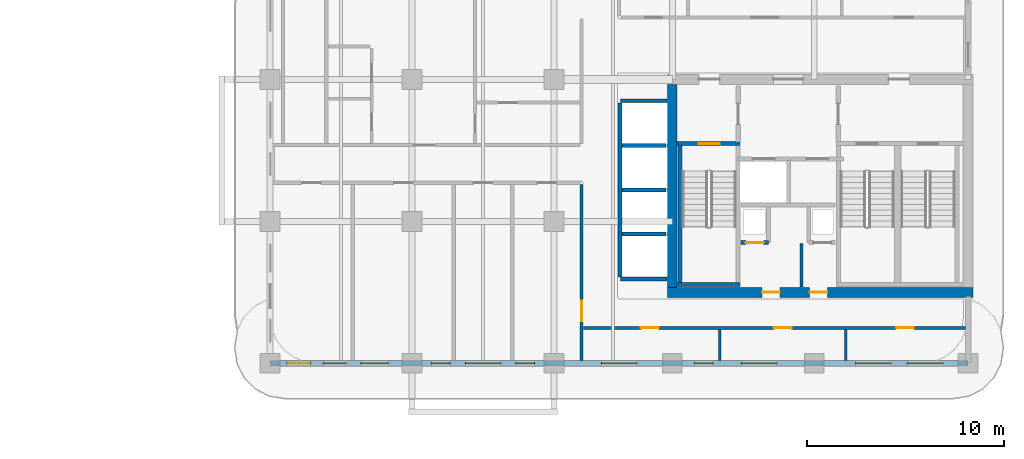
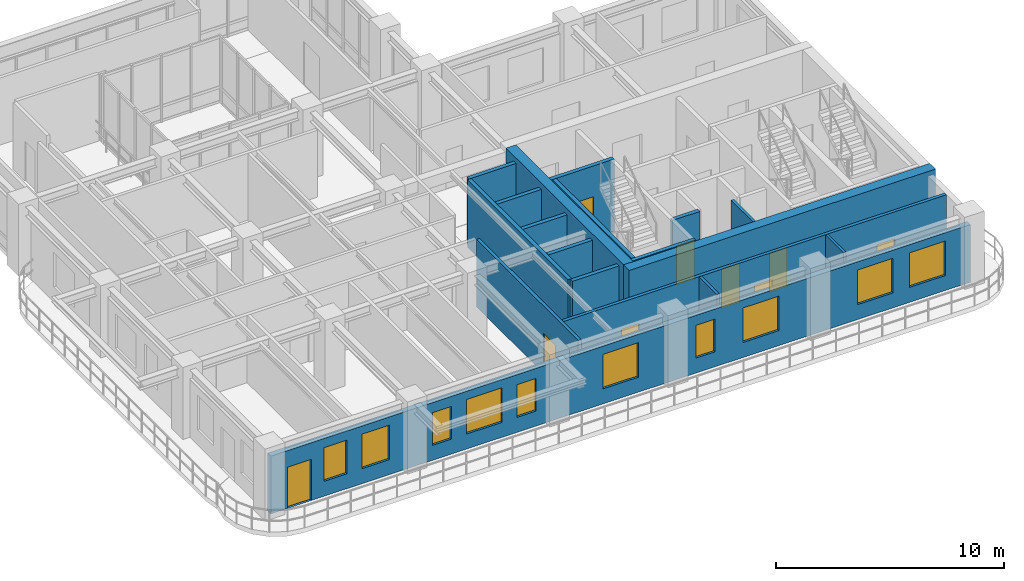
# One storey, part 12 of 21: 18 walls, 10 windows, 9 doors, 19 openings.
"""IFC4 building model written with IfcOpenShell, lengths in metres."""

from ifc_helpers import new_model, si_unit, derived_unit, direction, frame, frame_2d, origin, place, context, subcontext, project, spatial, rectangle, extrude, source, transform, mapped, material, layer, layer_set, type_object, type_shapes, element, fill, save


model = new_model("IFC4")

# Units and contexts
model_context = context("Model", 3, precision=1e-05, world=origin(), true_north=direction((0.0, 1.0)))
body_context = subcontext(model_context, "Body", "Model", "MODEL_VIEW")
ifc_project = project(units=[si_unit("LENGTHUNIT", "METRE"), si_unit("AREAUNIT", "SQUARE_METRE"), si_unit("VOLUMEUNIT", "CUBIC_METRE"), si_unit("PLANEANGLEUNIT", "RADIAN"), si_unit("MASSUNIT", "GRAM", prefix="KILO"), si_unit("THERMODYNAMICTEMPERATUREUNIT", "KELVIN"), si_unit("POWERUNIT", "WATT"), derived_unit("THERMALTRANSMITTANCEUNIT", [(si_unit("POWERUNIT", "WATT"), 1), (si_unit("AREAUNIT", "SQUARE_METRE"), -1), (si_unit("THERMODYNAMICTEMPERATUREUNIT", "KELVIN"), -1)])], contexts=[model_context])

# Site, building, storey
site_placement = place(None, origin())
site = spatial("IfcSite", under=ifc_project, at=site_placement, CompositionType="ELEMENT")
building_placement = place(site_placement, origin())
building = spatial("IfcBuilding", under=site, at=building_placement, Name="Zahravan Archway Hotel and Residences", CompositionType="ELEMENT")
storey_placement = place(building_placement, frame((0.0, 0.0, 165.699951171875)))
storey = spatial("IfcBuildingStorey", under=building, at=storey_placement, Name="L41", CompositionType="ELEMENT", Elevation=165.699951171875)

# Wall, openings, doors
ifc_material_1 = material(Name="Concrete C60/75", Category="concrete")
ifc_layer_1 = layer(ifc_material_1, 0.5, Name="Concrete C60/75", Category="concrete")
ifc_layer_set_1 = layer_set([ifc_layer_1], Name="Concrete C60/75")
wall_type_1 = type_object("IfcWallType", Name="CW-CORE-500", PredefinedType="SHEAR", material=ifc_layer_set_1)
wall_1_placement = place(storey_placement, frame((34.550048828125, 3.60009765625, 0.0), z_axis=(0.0, 0.0, 1.0), x_axis=(1.0, 0.0, 0.0)))
wall_1 = element("IfcWall", 1, at=wall_1_placement, inside=storey, type_object=wall_type_1, Name="L41 Core A Shear S Wall 500 mm", PredefinedType="SHEAR", context=body_context, shape_type="SweptSolid", body=[
    extrude(rectangle(XDim=15.5, YDim=0.5, at=frame_2d((7.75, 0.0))), origin(), (0.0, 0.0, 1.0), 3.85009765625),
])
opening_1_placement = place(wall_1_placement, frame((4.800048828125, 0.0, 0.0)))
opening_1 = element("IfcOpeningElement", 2, at=opening_1_placement, cuts=wall_1, Name="Opening FD-R1", PredefinedType="OPENING", context=body_context, shape_type="SweptSolid", body=[
    extrude(rectangle(XDim=0.89990234375, YDim=2.10009765625, at=frame_2d((0.449951171875, 1.050048828125))), frame((0.0, 0.260009765625, 0.0), z_axis=(0.0, -1.0, 0.0), x_axis=(1.0, 0.0, 0.0)), (0.0, 0.0, 1.0), 0.52001953125),
])
opening_2_placement = place(wall_1_placement, frame((7.219970703125, 0.0, 0.0)))
opening_2 = element("IfcOpeningElement", 3, at=opening_2_placement, cuts=wall_1, Name="Opening FD-R1", PredefinedType="OPENING", context=body_context, shape_type="SweptSolid", body=[
    extrude(rectangle(XDim=0.89990234375, YDim=2.10009765625, at=frame_2d((0.449951171875, 1.050048828125))), frame((0.0, 0.260009765625, 0.0), z_axis=(0.0, -1.0, 0.0), x_axis=(1.0, 0.0, 0.0)), (0.0, 0.0, 1.0), 0.52001953125),
])
ifc_material_2 = material(Name="Fire-Rated Painted Steel", Category="steel")
door_type_1 = type_object("IfcDoorType", Name="FD-RISER-900", OperationType="NOTDEFINED", PredefinedType="DOOR", material=ifc_material_2)
shared_shape_1 = source(origin(), body_context, "Body", "SweptSolid", [
    extrude(rectangle(XDim=0.89990234375, YDim=2.10009765625, at=frame_2d((0.449951171875, 1.050048828125))), frame((0.0, 0.02490234375, 0.0), z_axis=(0.0, -1.0, 0.0), x_axis=(1.0, 0.0, 0.0)), (0.0, 0.0, 1.0), 0.050048828125),
])
type_shapes(door_type_1, [shared_shape_1])
door_1_placement = place(opening_1_placement, origin())
door_1 = element("IfcDoor", 4, at=door_1_placement, inside=storey, type_object=door_type_1, Name="L41 Service Pantry Door", OperationType="SINGLE_SWING_LEFT", OverallHeight=2.10009765625, OverallWidth=0.89990234375, PredefinedType="DOOR", context=body_context, shape_type="MappedRepresentation", body=[
    mapped(shared_shape_1, transform((0.0, 0.0, 0.0), scale=1.0)),
])
fill(opening_1, door_1)
door_2_placement = place(opening_2_placement, origin())
door_2 = element("IfcDoor", 5, at=door_2_placement, inside=storey, type_object=door_type_1, Name="L41 Fibre ELV Riser Door", OperationType="SINGLE_SWING_RIGHT", OverallHeight=2.10009765625, OverallWidth=0.89990234375, PredefinedType="DOOR", context=body_context, shape_type="MappedRepresentation", body=[
    mapped(shared_shape_1, transform((0.0, 0.0, 0.0), scale=1.0)),
])
fill(opening_2, door_2)

# Wall
wall_2_placement = place(storey_placement, frame((34.800048828125, 3.85009765625, 0.0), z_axis=(0.0, 0.0, 1.0), x_axis=(0.0, 1.0, 0.0)))
element("IfcWall", 6, at=wall_2_placement, inside=storey, type_object=wall_type_1, Name="L41 Core A Shear W Wall 500 mm", PredefinedType="SHEAR", context=body_context, shape_type="SweptSolid", body=[
    extrude(rectangle(XDim=10.2998046875, YDim=0.5, at=frame_2d((5.14990234375, 0.0))), origin(), (0.0, 0.0, 1.0), 3.85009765625),
])

# Wall, openings, door, windows
ifc_material_3 = material(Name="Honed Red-Ochre Sandstone & Insulated Block", Category="masonry")
ifc_layer_2 = layer(ifc_material_3, 0.280029296875, Name="Honed Red-Ochre Sandstone & Insulated Block", Category="masonry")
ifc_layer_set_2 = layer_set([ifc_layer_2], Name="Honed Red-Ochre Sandstone & Insulated Block")
wall_type_2 = type_object("IfcWallType", Name="EW-LOG-280", PredefinedType="SOLIDWALL", material=ifc_layer_set_2)
wall_3_placement = place(storey_placement, frame((14.39990234375, 0.0, 0.0), z_axis=(0.0, 0.0, 1.0), x_axis=(1.0, 0.0, 0.0)))
wall_3 = element("IfcWall", 7, at=wall_3_placement, inside=storey, type_object=wall_type_2, Name="L41 Exterior Sandstone Wall WA-S", PredefinedType="SOLIDWALL", context=body_context, shape_type="SweptSolid", body=[
    extrude(rectangle(XDim=35.400146484375, YDim=0.280029296875, at=frame_2d((17.7001953125, 0.0))), origin(), (0.0, 0.0, 1.0), 3.0849609375),
])
opening_3_placement = place(wall_3_placement, frame((0.85009765625, 0.0, 0.0)))
opening_3 = element("IfcOpeningElement", 8, at=opening_3_placement, cuts=wall_3, Name="Opening ED-BL1", PredefinedType="OPENING", context=body_context, shape_type="SweptSolid", body=[
    extrude(rectangle(XDim=1.199951171875, YDim=2.199951171875, at=frame_2d((0.60009765625, 1.10009765625))), frame((0.0, 0.14990234375, 0.0), z_axis=(0.0, -1.0, 0.0), x_axis=(1.0, 0.0, 0.0)), (0.0, 0.0, 1.0), 0.300048828125),
])
opening_4_placement = place(wall_3_placement, frame((2.696044921875, 0.0, 0.800048828125)))
opening_4 = element("IfcOpeningElement", 9, at=opening_4_placement, cuts=wall_3, Name="Opening W-05", PredefinedType="OPENING", context=body_context, shape_type="SweptSolid", body=[
    extrude(rectangle(XDim=1.14990234375, YDim=1.800048828125, at=frame_2d((0.574951171875, 0.89990234375))), frame((0.0, 0.14990234375, 0.0), z_axis=(0.0, -1.0, 0.0), x_axis=(1.0, 0.0, 0.0)), (0.0, 0.0, 1.0), 0.300048828125),
])
opening_5_placement = place(wall_3_placement, frame((4.60400390625, 0.0, 0.800048828125)))
opening_5 = element("IfcOpeningElement", 10, at=opening_5_placement, cuts=wall_3, Name="Opening W-03", PredefinedType="OPENING", context=body_context, shape_type="SweptSolid", body=[
    extrude(rectangle(XDim=1.39990234375, YDim=1.85009765625, at=frame_2d((0.699951171875, 0.925048828125))), frame((0.0, 0.14990234375, 0.0), z_axis=(0.0, -1.0, 0.0), x_axis=(1.0, 0.0, 0.0)), (0.0, 0.0, 1.0), 0.300048828125),
])
opening_6_placement = place(wall_3_placement, frame((8.180908203125, 0.0, 0.800048828125)))
opening_6 = element("IfcOpeningElement", 11, at=opening_6_placement, cuts=wall_3, Name="Opening W-04", PredefinedType="OPENING", context=body_context, shape_type="SweptSolid", body=[
    extrude(rectangle(XDim=0.949951171875, YDim=1.75, at=frame_2d((0.47509765625, 0.875))), frame((0.0, 0.14990234375, 0.0), z_axis=(0.0, -1.0, 0.0), x_axis=(1.0, 0.0, 0.0)), (0.0, 0.0, 1.0), 0.300048828125),
])
opening_7_placement = place(wall_3_placement, frame((9.89990234375, 0.0, 0.800048828125)))
opening_7 = element("IfcOpeningElement", 12, at=opening_7_placement, cuts=wall_3, Name="Opening W-02", PredefinedType="OPENING", context=body_context, shape_type="SweptSolid", body=[
    extrude(rectangle(XDim=1.800048828125, YDim=1.85009765625, at=frame_2d((0.89990234375, 0.925048828125))), frame((0.0, 0.14990234375, 0.0), z_axis=(0.0, -1.0, 0.0), x_axis=(1.0, 0.0, 0.0)), (0.0, 0.0, 1.0), 0.300048828125),
])
opening_8_placement = place(wall_3_placement, frame((12.468994140625, 0.0, 0.800048828125)))
opening_8 = element("IfcOpeningElement", 13, at=opening_8_placement, cuts=wall_3, Name="Opening W-04", PredefinedType="OPENING", context=body_context, shape_type="SweptSolid", body=[
    extrude(rectangle(XDim=0.949951171875, YDim=1.75, at=frame_2d((0.47509765625, 0.875))), frame((0.0, 0.14990234375, 0.0), z_axis=(0.0, -1.0, 0.0), x_axis=(1.0, 0.0, 0.0)), (0.0, 0.0, 1.0), 0.300048828125),
])
opening_9_placement = place(wall_3_placement, frame((16.803955078125, 0.0, 0.800048828125)))
opening_9 = element("IfcOpeningElement", 14, at=opening_9_placement, cuts=wall_3, Name="Opening W-02", PredefinedType="OPENING", context=body_context, shape_type="SweptSolid", body=[
    extrude(rectangle(XDim=1.800048828125, YDim=1.85009765625, at=frame_2d((0.89990234375, 0.925048828125))), frame((0.0, 0.14990234375, 0.0), z_axis=(0.0, -1.0, 0.0), x_axis=(1.0, 0.0, 0.0)), (0.0, 0.0, 1.0), 0.300048828125),
])
opening_10_placement = place(wall_3_placement, frame((21.52099609375, 0.0, 0.800048828125)))
opening_10 = element("IfcOpeningElement", 15, at=opening_10_placement, cuts=wall_3, Name="Opening W-04", PredefinedType="OPENING", context=body_context, shape_type="SweptSolid", body=[
    extrude(rectangle(XDim=0.949951171875, YDim=1.75, at=frame_2d((0.47509765625, 0.875))), frame((0.0, 0.14990234375, 0.0), z_axis=(0.0, -1.0, 0.0), x_axis=(1.0, 0.0, 0.0)), (0.0, 0.0, 1.0), 0.300048828125),
])
opening_11_placement = place(wall_3_placement, frame((23.904052734375, 0.0, 0.800048828125)))
opening_11 = element("IfcOpeningElement", 16, at=opening_11_placement, cuts=wall_3, Name="Opening W-02", PredefinedType="OPENING", context=body_context, shape_type="SweptSolid", body=[
    extrude(rectangle(XDim=1.800048828125, YDim=1.85009765625, at=frame_2d((0.89990234375, 0.925048828125))), frame((0.0, 0.14990234375, 0.0), z_axis=(0.0, -1.0, 0.0), x_axis=(1.0, 0.0, 0.0)), (0.0, 0.0, 1.0), 0.300048828125),
])
opening_12_placement = place(wall_3_placement, frame((29.680908203125, 0.0, 0.800048828125)))
opening_12 = element("IfcOpeningElement", 17, at=opening_12_placement, cuts=wall_3, Name="Opening W-02", PredefinedType="OPENING", context=body_context, shape_type="SweptSolid", body=[
    extrude(rectangle(XDim=1.800048828125, YDim=1.85009765625, at=frame_2d((0.89990234375, 0.925048828125))), frame((0.0, 0.14990234375, 0.0), z_axis=(0.0, -1.0, 0.0), x_axis=(1.0, 0.0, 0.0)), (0.0, 0.0, 1.0), 0.300048828125),
])
opening_13_placement = place(wall_3_placement, frame((32.326904296875, 0.0, 0.800048828125)))
opening_13 = element("IfcOpeningElement", 18, at=opening_13_placement, cuts=wall_3, Name="Opening W-02", PredefinedType="OPENING", context=body_context, shape_type="SweptSolid", body=[
    extrude(rectangle(XDim=1.800048828125, YDim=1.85009765625, at=frame_2d((0.89990234375, 0.925048828125))), frame((0.0, 0.14990234375, 0.0), z_axis=(0.0, -1.0, 0.0), x_axis=(1.0, 0.0, 0.0)), (0.0, 0.0, 1.0), 0.300048828125),
])
ifc_material_4 = material(Name="Bronze-Anodized Glazed Aluminium", Category="aluminium")
door_type_2 = type_object("IfcDoorType", Name="ED-BALC-1200", OperationType="SLIDING_TO_LEFT", PredefinedType="DOOR", material=ifc_material_4)
shared_shape_2 = source(origin(), body_context, "Body", "SweptSolid", [
    extrude(rectangle(XDim=1.199951171875, YDim=2.199951171875, at=frame_2d((0.60009765625, 1.10009765625))), frame((0.0, 0.02490234375, 0.0), z_axis=(0.0, -1.0, 0.0), x_axis=(1.0, 0.0, 0.0)), (0.0, 0.0, 1.0), 0.050048828125),
])
type_shapes(door_type_2, [shared_shape_2])
door_3_placement = place(opening_3_placement, origin())
door_3 = element("IfcDoor", 19, at=door_3_placement, inside=storey, type_object=door_type_2, Name="L41 Outdoor Access Sliding Door (SLB-BAL-L41-SA)", OperationType="SLIDING_TO_LEFT", OverallHeight=2.199951171875, OverallWidth=1.199951171875, PredefinedType="DOOR", context=body_context, shape_type="MappedRepresentation", body=[
    mapped(shared_shape_2, transform((0.0, 0.0, 0.0), scale=1.0)),
])
fill(opening_3, door_3)
ifc_material_5 = material(Name="Bronze-Anodized Thermal-Break Aluminium & Low-E Glass", Category="aluminium")
window_type_1 = type_object("IfcWindowType", Name="WIN-TWR-1400", PartitioningType="SINGLE_PANEL", PredefinedType="WINDOW", material=ifc_material_5)
shared_shape_3 = source(origin(), body_context, "Body", "SweptSolid", [
    extrude(rectangle(XDim=1.39990234375, YDim=1.85009765625, at=frame_2d((0.699951171875, 0.925048828125))), frame((0.0, 0.030029296875, 0.0), z_axis=(0.0, -1.0, 0.0), x_axis=(1.0, 0.0, 0.0)), (0.0, 0.0, 1.0), 0.06005859375),
])
type_shapes(window_type_1, [shared_shape_3])
window_1_placement = place(opening_5_placement, origin())
window_1 = element("IfcWindow", 20, at=window_1_placement, inside=storey, type_object=window_type_1, Name="L41 Loggia Window 02", OverallHeight=1.85009765625, OverallWidth=1.39990234375, PartitioningType="SINGLE_PANEL", PredefinedType="WINDOW", context=body_context, shape_type="MappedRepresentation", body=[
    mapped(shared_shape_3, transform((0.0, 0.0, 0.0), scale=1.0)),
])
fill(opening_5, window_1)
window_type_2 = type_object("IfcWindowType", Name="WIN-NAR-950", PartitioningType="SINGLE_PANEL", PredefinedType="WINDOW", material=ifc_material_5)
shared_shape_4 = source(origin(), body_context, "Body", "SweptSolid", [
    extrude(rectangle(XDim=0.949951171875, YDim=1.75, at=frame_2d((0.47509765625, 0.875))), frame((0.0, 0.030029296875, 0.0), z_axis=(0.0, -1.0, 0.0), x_axis=(1.0, 0.0, 0.0)), (0.0, 0.0, 1.0), 0.06005859375),
])
type_shapes(window_type_2, [shared_shape_4])
window_2_placement = place(opening_6_placement, origin())
window_2 = element("IfcWindow", 21, at=window_2_placement, inside=storey, type_object=window_type_2, Name="L41 Loggia Window 03", OverallHeight=1.75, OverallWidth=0.949951171875, PartitioningType="SINGLE_PANEL", PredefinedType="WINDOW", context=body_context, shape_type="MappedRepresentation", body=[
    mapped(shared_shape_4, transform((0.0, 0.0, 0.0), scale=1.0)),
])
fill(opening_6, window_2)
window_3_placement = place(opening_8_placement, origin())
window_3 = element("IfcWindow", 22, at=window_3_placement, inside=storey, type_object=window_type_2, Name="L41 Loggia Window 05", OverallHeight=1.75, OverallWidth=0.949951171875, PartitioningType="SINGLE_PANEL", PredefinedType="WINDOW", context=body_context, shape_type="MappedRepresentation", body=[
    mapped(shared_shape_4, transform((0.0, 0.0, 0.0), scale=1.0)),
])
fill(opening_8, window_3)
window_4_placement = place(opening_10_placement, origin())
window_4 = element("IfcWindow", 23, at=window_4_placement, inside=storey, type_object=window_type_2, Name="L41 Loggia Window 07", OverallHeight=1.75, OverallWidth=0.949951171875, PartitioningType="SINGLE_PANEL", PredefinedType="WINDOW", context=body_context, shape_type="MappedRepresentation", body=[
    mapped(shared_shape_4, transform((0.0, 0.0, 0.0), scale=1.0)),
])
fill(opening_10, window_4)
window_type_3 = type_object("IfcWindowType", Name="WIN-TWR-1800", PartitioningType="DOUBLE_PANEL_VERTICAL", PredefinedType="WINDOW", material=ifc_material_5)
shared_shape_5 = source(origin(), body_context, "Body", "SweptSolid", [
    extrude(rectangle(XDim=1.800048828125, YDim=1.85009765625, at=frame_2d((0.89990234375, 0.925048828125))), frame((0.0, 0.030029296875, 0.0), z_axis=(0.0, -1.0, 0.0), x_axis=(1.0, 0.0, 0.0)), (0.0, 0.0, 1.0), 0.06005859375),
])
type_shapes(window_type_3, [shared_shape_5])
window_5_placement = place(opening_7_placement, origin())
window_5 = element("IfcWindow", 24, at=window_5_placement, inside=storey, type_object=window_type_3, Name="L41 Loggia Window 04", OverallHeight=1.85009765625, OverallWidth=1.800048828125, PartitioningType="DOUBLE_PANEL_VERTICAL", PredefinedType="WINDOW", context=body_context, shape_type="MappedRepresentation", body=[
    mapped(shared_shape_5, transform((0.0, 0.0, 0.0), scale=1.0)),
])
fill(opening_7, window_5)
window_6_placement = place(opening_9_placement, origin())
window_6 = element("IfcWindow", 25, at=window_6_placement, inside=storey, type_object=window_type_3, Name="L41 Loggia Window 06", OverallHeight=1.85009765625, OverallWidth=1.800048828125, PartitioningType="DOUBLE_PANEL_VERTICAL", PredefinedType="WINDOW", context=body_context, shape_type="MappedRepresentation", body=[
    mapped(shared_shape_5, transform((0.0, 0.0, 0.0), scale=1.0)),
])
fill(opening_9, window_6)
window_7_placement = place(opening_11_placement, origin())
window_7 = element("IfcWindow", 26, at=window_7_placement, inside=storey, type_object=window_type_3, Name="L41 Loggia Window 08", OverallHeight=1.85009765625, OverallWidth=1.800048828125, PartitioningType="DOUBLE_PANEL_VERTICAL", PredefinedType="WINDOW", context=body_context, shape_type="MappedRepresentation", body=[
    mapped(shared_shape_5, transform((0.0, 0.0, 0.0), scale=1.0)),
])
fill(opening_11, window_7)
window_8_placement = place(opening_12_placement, origin())
window_8 = element("IfcWindow", 27, at=window_8_placement, inside=storey, type_object=window_type_3, Name="L41 Loggia Window 09", OverallHeight=1.85009765625, OverallWidth=1.800048828125, PartitioningType="DOUBLE_PANEL_VERTICAL", PredefinedType="WINDOW", context=body_context, shape_type="MappedRepresentation", body=[
    mapped(shared_shape_5, transform((0.0, 0.0, 0.0), scale=1.0)),
])
fill(opening_12, window_8)
window_9_placement = place(opening_13_placement, origin())
window_9 = element("IfcWindow", 28, at=window_9_placement, inside=storey, type_object=window_type_3, Name="L41 Loggia Window 10", OverallHeight=1.85009765625, OverallWidth=1.800048828125, PartitioningType="DOUBLE_PANEL_VERTICAL", PredefinedType="WINDOW", context=body_context, shape_type="MappedRepresentation", body=[
    mapped(shared_shape_5, transform((0.0, 0.0, 0.0), scale=1.0)),
])
fill(opening_13, window_9)
window_type_4 = type_object("IfcWindowType", Name="WIN-TWR-1150", PartitioningType="SINGLE_PANEL", PredefinedType="WINDOW", material=ifc_material_5)
shared_shape_6 = source(origin(), body_context, "Body", "SweptSolid", [
    extrude(rectangle(XDim=1.14990234375, YDim=1.800048828125, at=frame_2d((0.574951171875, 0.89990234375))), frame((0.0, 0.030029296875, 0.0), z_axis=(0.0, -1.0, 0.0), x_axis=(1.0, 0.0, 0.0)), (0.0, 0.0, 1.0), 0.06005859375),
])
type_shapes(window_type_4, [shared_shape_6])
window_10_placement = place(opening_4_placement, origin())
window_10 = element("IfcWindow", 29, at=window_10_placement, inside=storey, type_object=window_type_4, Name="L41 Loggia Window 01", OverallHeight=1.800048828125, OverallWidth=1.14990234375, PartitioningType="SINGLE_PANEL", PredefinedType="WINDOW", context=body_context, shape_type="MappedRepresentation", body=[
    mapped(shared_shape_6, transform((0.0, 0.0, 0.0), scale=1.0)),
])
fill(opening_4, window_10)

# Wall, opening, door
ifc_material_6 = material(Name="Fire-Rated Gypsum & Concrete Block", Category="concrete")
ifc_layer_3 = layer(ifc_material_6, 0.159912109375, Name="Fire-Rated Gypsum & Concrete Block", Category="concrete")
ifc_layer_set_3 = layer_set([ifc_layer_3], Name="Fire-Rated Gypsum & Concrete Block")
wall_type_3 = type_object("IfcWallType", Name="PW-CORR-160", PredefinedType="PARTITIONING", material=ifc_layer_set_3)
wall_4_placement = place(storey_placement, frame((30.199951171875, 0.14794921875, 0.0), z_axis=(0.0, 0.0, 1.0), x_axis=(0.0, 1.0, 0.0)))
wall_4 = element("IfcWall", 30, at=wall_4_placement, inside=storey, type_object=wall_type_3, Name="L41 Partition WA-SRW", PredefinedType="PARTITIONING", context=body_context, shape_type="SweptSolid", body=[
    extrude(rectangle(XDim=8.912109375, YDim=0.159912109375, at=frame_2d((4.4560546875, 0.0))), origin(), (0.0, 0.0, 1.0), 3.60009765625),
])
opening_14_placement = place(wall_4_placement, frame((1.97705078125, 0.0, 0.0)))
opening_14 = element("IfcOpeningElement", 31, at=opening_14_placement, cuts=wall_4, Name="Opening FD-L2", PredefinedType="OPENING", context=body_context, shape_type="SweptSolid", body=[
    extrude(rectangle(XDim=1.050048828125, YDim=2.14990234375, at=frame_2d((0.52490234375, 1.074951171875))), frame((0.0, 0.08984375, 0.0), z_axis=(0.0, -1.0, 0.0), x_axis=(1.0, 0.0, 0.0)), (0.0, 0.0, 1.0), 0.179931640625),
])
door_type_3 = type_object("IfcDoorType", Name="FD-LOBBY-1100", OperationType="NOTDEFINED", PredefinedType="DOOR", material=ifc_material_2)
shared_shape_7 = source(origin(), body_context, "Body", "SweptSolid", [
    extrude(rectangle(XDim=1.050048828125, YDim=2.14990234375, at=frame_2d((0.52490234375, 1.074951171875))), frame((0.0, 0.02490234375, 0.0), z_axis=(0.0, -1.0, 0.0), x_axis=(1.0, 0.0, 0.0)), (0.0, 0.0, 1.0), 0.050048828125),
])
type_shapes(door_type_3, [shared_shape_7])
door_4_placement = place(opening_14_placement, origin())
door_4 = element("IfcDoor", 32, at=door_4_placement, inside=storey, type_object=door_type_3, Name="L41 South Riser Corridor Door", OperationType="SINGLE_SWING_RIGHT", OverallHeight=2.14990234375, OverallWidth=1.050048828125, PredefinedType="DOOR", context=body_context, shape_type="MappedRepresentation", body=[
    mapped(shared_shape_7, transform((0.0, 0.0, 0.0), scale=1.0)),
])
fill(opening_14, door_4)

# Wall, openings, doors
wall_5_placement = place(storey_placement, frame((30.2900390625, 1.800048828125, 0.0), z_axis=(0.0, 0.0, 1.0), x_axis=(1.0, 0.0, 0.0)))
wall_5 = element("IfcWall", 33, at=wall_5_placement, inside=storey, type_object=wall_type_3, Name="L41 Partition WA-SRS", PredefinedType="PARTITIONING", context=body_context, shape_type="SweptSolid", body=[
    extrude(rectangle(XDim=19.369873046875, YDim=0.159912109375, at=frame_2d((9.68505859375, 0.0))), origin(), (0.0, 0.0, 1.0), 3.60009765625),
])
opening_15_placement = place(wall_5_placement, frame((2.916259765625, 0.0, 0.0)))
opening_15 = element("IfcOpeningElement", 34, at=opening_15_placement, cuts=wall_5, Name="Opening D-I2", PredefinedType="OPENING", context=body_context, shape_type="SweptSolid", body=[
    extrude(rectangle(XDim=0.89990234375, YDim=2.14990234375, at=frame_2d((0.449951171875, 1.074951171875))), frame((0.0, 0.08984375, 0.0), z_axis=(0.0, -1.0, 0.0), x_axis=(1.0, 0.0, 0.0)), (0.0, 0.0, 1.0), 0.179931640625),
])
opening_16_placement = place(wall_5_placement, frame((9.659912109375, 0.0, 0.0)))
opening_16 = element("IfcOpeningElement", 35, at=opening_16_placement, cuts=wall_5, Name="Opening D-I2", PredefinedType="OPENING", context=body_context, shape_type="SweptSolid", body=[
    extrude(rectangle(XDim=0.89990234375, YDim=2.14990234375, at=frame_2d((0.449951171875, 1.074951171875))), frame((0.0, 0.08984375, 0.0), z_axis=(0.0, -1.0, 0.0), x_axis=(1.0, 0.0, 0.0)), (0.0, 0.0, 1.0), 0.179931640625),
])
opening_17_placement = place(wall_5_placement, frame((15.860107421875, 0.0, 0.0)))
opening_17 = element("IfcOpeningElement", 36, at=opening_17_placement, cuts=wall_5, Name="Opening D-I2", PredefinedType="OPENING", context=body_context, shape_type="SweptSolid", body=[
    extrude(rectangle(XDim=0.89990234375, YDim=2.14990234375, at=frame_2d((0.449951171875, 1.074951171875))), frame((0.0, 0.08984375, 0.0), z_axis=(0.0, -1.0, 0.0), x_axis=(1.0, 0.0, 0.0)), (0.0, 0.0, 1.0), 0.179931640625),
])
ifc_material_7 = material(Name="Hardwood Veneer Timber", Category="wood")
door_type_4 = type_object("IfcDoorType", Name="ID-INT-900", OperationType="NOTDEFINED", PredefinedType="DOOR", material=ifc_material_7)
shared_shape_8 = source(origin(), body_context, "Body", "SweptSolid", [
    extrude(rectangle(XDim=0.89990234375, YDim=2.14990234375, at=frame_2d((0.449951171875, 1.074951171875))), frame((0.0, 0.02490234375, 0.0), z_axis=(0.0, -1.0, 0.0), x_axis=(1.0, 0.0, 0.0)), (0.0, 0.0, 1.0), 0.050048828125),
])
type_shapes(door_type_4, [shared_shape_8])
door_5_placement = place(opening_15_placement, origin())
door_5 = element("IfcDoor", 37, at=door_5_placement, inside=storey, type_object=door_type_4, Name="L41 South Office Door", OperationType="SINGLE_SWING_LEFT", OverallHeight=2.14990234375, OverallWidth=0.89990234375, PredefinedType="DOOR", context=body_context, shape_type="MappedRepresentation", body=[
    mapped(shared_shape_8, transform((0.0, 0.0, 0.0), scale=1.0)),
])
fill(opening_15, door_5)
door_6_placement = place(opening_16_placement, origin())
door_6 = element("IfcDoor", 38, at=door_6_placement, inside=storey, type_object=door_type_4, Name="L41 South Meeting Door", OperationType="SINGLE_SWING_RIGHT", OverallHeight=2.14990234375, OverallWidth=0.89990234375, PredefinedType="DOOR", context=body_context, shape_type="MappedRepresentation", body=[
    mapped(shared_shape_8, transform((0.0, 0.0, 0.0), scale=1.0)),
])
fill(opening_16, door_6)
door_7_placement = place(opening_17_placement, origin())
door_7 = element("IfcDoor", 39, at=door_7_placement, inside=storey, type_object=door_type_4, Name="L41 South Prayer Alcove Door", OperationType="SINGLE_SWING_LEFT", OverallHeight=2.14990234375, OverallWidth=0.89990234375, PredefinedType="DOOR", context=body_context, shape_type="MappedRepresentation", body=[
    mapped(shared_shape_8, transform((0.0, 0.0, 0.0), scale=1.0)),
])
fill(opening_17, door_7)

# Walls
ifc_material_8 = material(Name="Acoustic Stud Partition")
ifc_layer_4 = layer(ifc_material_8, 0.125, Name="Acoustic Stud Partition")
ifc_layer_set_4 = layer_set([ifc_layer_4], Name="Acoustic Stud Partition")
wall_type_4 = type_object("IfcWallType", Name="PW-INT-125", PredefinedType="PARTITIONING", material=ifc_layer_set_4)
for number, where, z_axis, x_axis, name in (
    (40, (37.199951171875, 0.14794921875, 0.0), (0.0, 0.0, 1.0), (0.0, 1.0, 0.0), "L41 Partition S-DIV2A"),
    (41, (43.60009765625, 0.14794921875, 0.0), (0.0, 0.0, 1.0), (0.0, 1.0, 0.0), "L41 Partition S-DIV2B"),
):
    element("IfcWall", number, at=place(storey_placement, frame(where, z_axis=z_axis, x_axis=x_axis)), inside=storey, type_object=wall_type_4, Name=name, PredefinedType="PARTITIONING", context=body_context, shape_type="SweptSolid", body=[
        extrude(rectangle(XDim=1.56201171875, YDim=0.125, at=frame_2d((0.781005859375, 0.0))), origin(), (0.0, 0.0, 1.0), 3.60009765625),
    ])

# Wall, opening, door
ifc_layer_5 = layer(ifc_material_6, 0.199951171875, Name="Fire-Rated Gypsum & Concrete Block", Category="concrete")
ifc_layer_set_5 = layer_set([ifc_layer_5], Name="Fire-Rated Gypsum & Concrete Block")
wall_type_5 = type_object("IfcWallType", Name="PW-SHAFT-200", PredefinedType="PARTITIONING", material=ifc_layer_set_5)
wall_6_placement = place(storey_placement, frame((38.2900390625, 6.1201171875, 0.0), z_axis=(0.0, 0.0, 1.0), x_axis=(1.0, 0.0, 0.0)))
wall_6 = element("IfcWall", 42, at=wall_6_placement, inside=storey, type_object=wall_type_5, Name="L41 Partition CA-SMKS", PredefinedType="PARTITIONING", context=body_context, shape_type="SweptSolid", body=[
    extrude(rectangle(XDim=1.3798828125, YDim=0.199951171875, at=frame_2d((0.68994140625, 0.0))), origin(), (0.0, 0.0, 1.0), 3.60009765625),
])
opening_18_placement = place(wall_6_placement, frame((0.239990234375, 0.0, 0.0)))
opening_18 = element("IfcOpeningElement", 43, at=opening_18_placement, cuts=wall_6, Name="Opening FD-R1", PredefinedType="OPENING", context=body_context, shape_type="SweptSolid", body=[
    extrude(rectangle(XDim=0.89990234375, YDim=2.10009765625, at=frame_2d((0.449951171875, 1.050048828125))), frame((0.0, 0.10986328125, 0.0), z_axis=(0.0, -1.0, 0.0), x_axis=(1.0, 0.0, 0.0)), (0.0, 0.0, 1.0), 0.219970703125),
])
door_8_placement = place(opening_18_placement, origin())
door_8 = element("IfcDoor", 44, at=door_8_placement, inside=storey, type_object=door_type_1, Name="L41 Smoke Riser Access Door", OperationType="SINGLE_SWING_LEFT", OverallHeight=2.10009765625, OverallWidth=0.89990234375, PredefinedType="DOOR", context=body_context, shape_type="MappedRepresentation", body=[
    mapped(shared_shape_1, transform((0.0, 0.0, 0.0), scale=1.0)),
])
fill(opening_18, door_8)

# Walls
for number, where, z_axis, x_axis, name in (
    (45, (32.159912109375, 4.280029296875, 0.0), (0.0, 0.0, 1.0), (1.0, 0.0, 0.0), "L41 Partition B3-S"),
    (46, (32.159912109375, 13.320068359375, 0.0), (0.0, 0.0, 1.0), (1.0, 0.0, 0.0), "L41 Partition B3-N"),
):
    element("IfcWall", number, at=place(storey_placement, frame(where, z_axis=z_axis, x_axis=x_axis)), inside=storey, type_object=wall_type_5, Name=name, PredefinedType="PARTITIONING", context=body_context, shape_type="SweptSolid", body=[
        extrude(rectangle(XDim=2.360107421875, YDim=0.199951171875, at=frame_2d((1.18017578125, 0.0))), origin(), (0.0, 0.0, 1.0), 3.60009765625),
    ])
wall_7_placement = place(storey_placement, frame((32.14990234375, 4.389892578125, 0.0), z_axis=(0.0, 0.0, 1.0), x_axis=(0.0, 1.0, 0.0)))
element("IfcWall", 47, at=wall_7_placement, inside=storey, type_object=wall_type_5, Name="L41 Partition B3-W", PredefinedType="PARTITIONING", context=body_context, shape_type="SweptSolid", body=[
    extrude(rectangle(XDim=8.820068359375, YDim=0.199951171875, at=frame_2d((4.41015625, 0.0))), origin(), (0.0, 0.0, 1.0), 3.60009765625),
])
for number, where, z_axis, x_axis, name in (
    (48, (32.260009765625, 6.56005859375, 0.0), (0.0, 0.0, 1.0), (1.0, 0.0, 0.0), "L41 Partition B3-D"),
    (49, (32.260009765625, 8.800048828125, 0.0), (0.0, 0.0, 1.0), (1.0, 0.0, 0.0), "L41 Partition B3-D"),
    (50, (32.260009765625, 11.0400390625, 0.0), (0.0, 0.0, 1.0), (1.0, 0.0, 0.0), "L41 Partition B3-D"),
):
    element("IfcWall", number, at=place(storey_placement, frame(where, z_axis=z_axis, x_axis=x_axis)), inside=storey, type_object=wall_type_5, Name=name, PredefinedType="PARTITIONING", context=body_context, shape_type="SweptSolid", body=[
        extrude(rectangle(XDim=2.22998046875, YDim=0.199951171875, at=frame_2d((1.114990234375, 0.0))), origin(), (0.0, 0.0, 1.0), 3.60009765625),
    ])
ifc_material_9 = material(Name="Moisture-Resistant Blockwork", Category="masonry")
ifc_layer_6 = layer(ifc_material_9, 0.139892578125, Name="Moisture-Resistant Blockwork", Category="masonry")
ifc_layer_set_6 = layer_set([ifc_layer_6], Name="Moisture-Resistant Blockwork")
wall_type_6 = type_object("IfcWallType", Name="PW-WET-140", PredefinedType="PARTITIONING", material=ifc_layer_set_6)
wall_8_placement = place(storey_placement, frame((41.35009765625, 3.8701171875, 0.0), z_axis=(0.0, 0.0, 1.0), x_axis=(0.0, 1.0, 0.0)))
element("IfcWall", 51, at=wall_8_placement, inside=storey, type_object=wall_type_6, Name="L41 Partition CA-CV3", PredefinedType="PARTITIONING", context=body_context, shape_type="SweptSolid", body=[
    extrude(rectangle(XDim=2.2099609375, YDim=0.139892578125, at=frame_2d((1.10498046875, 0.0))), origin(), (0.0, 0.0, 1.0), 3.60009765625),
])
ifc_material_10 = material(Name="Concrete C50/60", Category="concrete")
ifc_layer_7 = layer(ifc_material_10, 0.199951171875, Name="Concrete C50/60", Category="concrete")
ifc_layer_set_7 = layer_set([ifc_layer_7], Name="Concrete C50/60")
wall_type_7 = type_object("IfcWallType", Name="SW-STAIR-200", PredefinedType="SHEAR", material=ifc_layer_set_7)
wall_9_placement = place(storey_placement, frame((35.050048828125, 4.0, 0.0), z_axis=(0.0, 0.0, 1.0), x_axis=(1.0, 0.0, 0.0)))
element("IfcWall", 52, at=wall_9_placement, inside=storey, type_object=wall_type_7, Name="L41 Stairwell RC Wall CA-SA1S", PredefinedType="SHEAR", context=body_context, shape_type="SweptSolid", body=[
    extrude(rectangle(XDim=3.18994140625, YDim=0.199951171875, at=frame_2d((1.594970703125, 0.0))), origin(), (0.0, 0.0, 1.0), 3.85009765625),
])
wall_10_placement = place(storey_placement, frame((35.199951171875, 4.10009765625, 0.0), z_axis=(0.0, 0.0, 1.0), x_axis=(0.0, 1.0, 0.0)))
element("IfcWall", 53, at=wall_10_placement, inside=storey, type_object=wall_type_7, Name="L41 Stairwell RC Wall CA-SA1W", PredefinedType="SHEAR", context=body_context, shape_type="SweptSolid", body=[
    extrude(rectangle(XDim=6.949951171875, YDim=0.199951171875, at=frame_2d((3.47509765625, 0.0))), origin(), (0.0, 0.0, 1.0), 3.85009765625),
])

# Wall, opening, door
wall_11_placement = place(storey_placement, frame((35.050048828125, 11.14990234375, 0.0), z_axis=(0.0, 0.0, 1.0), x_axis=(1.0, 0.0, 0.0)))
wall_11 = element("IfcWall", 54, at=wall_11_placement, inside=storey, type_object=wall_type_7, Name="L41 Stairwell RC Wall CA-SA1N", PredefinedType="SHEAR", context=body_context, shape_type="SweptSolid", body=[
    extrude(rectangle(XDim=3.18994140625, YDim=0.199951171875, at=frame_2d((1.594970703125, 0.0))), origin(), (0.0, 0.0, 1.0), 3.85009765625),
])
opening_19_placement = place(wall_11_placement, frame((1.094970703125, 0.0, 0.0)))
opening_19 = element("IfcOpeningElement", 55, at=opening_19_placement, cuts=wall_11, Name="Opening FD-S1", PredefinedType="OPENING", context=body_context, shape_type="SweptSolid", body=[
    extrude(rectangle(XDim=1.050048828125, YDim=2.199951171875, at=frame_2d((0.52490234375, 1.10009765625))), frame((0.0, 0.10986328125, 0.0), z_axis=(0.0, -1.0, 0.0), x_axis=(1.0, 0.0, 0.0)), (0.0, 0.0, 1.0), 0.219970703125),
])
door_type_5 = type_object("IfcDoorType", Name="FD-STAIR-1100", OperationType="NOTDEFINED", PredefinedType="DOOR", material=ifc_material_2)
shared_shape_9 = source(origin(), body_context, "Body", "SweptSolid", [
    extrude(rectangle(XDim=1.050048828125, YDim=2.199951171875, at=frame_2d((0.52490234375, 1.10009765625))), frame((0.0, 0.02490234375, 0.0), z_axis=(0.0, -1.0, 0.0), x_axis=(1.0, 0.0, 0.0)), (0.0, 0.0, 1.0), 0.050048828125),
])
type_shapes(door_type_5, [shared_shape_9])
door_9_placement = place(opening_19_placement, origin())
door_9 = element("IfcDoor", 56, at=door_9_placement, inside=storey, type_object=door_type_5, Name="L41 Stair ST-A1 Door", OperationType="SINGLE_SWING_RIGHT", OverallHeight=2.199951171875, OverallWidth=1.050048828125, PredefinedType="DOOR", context=body_context, shape_type="MappedRepresentation", body=[
    mapped(shared_shape_9, transform((0.0, 0.0, 0.0), scale=1.0)),
])
fill(opening_19, door_9)

save(model, "model.ifc")
